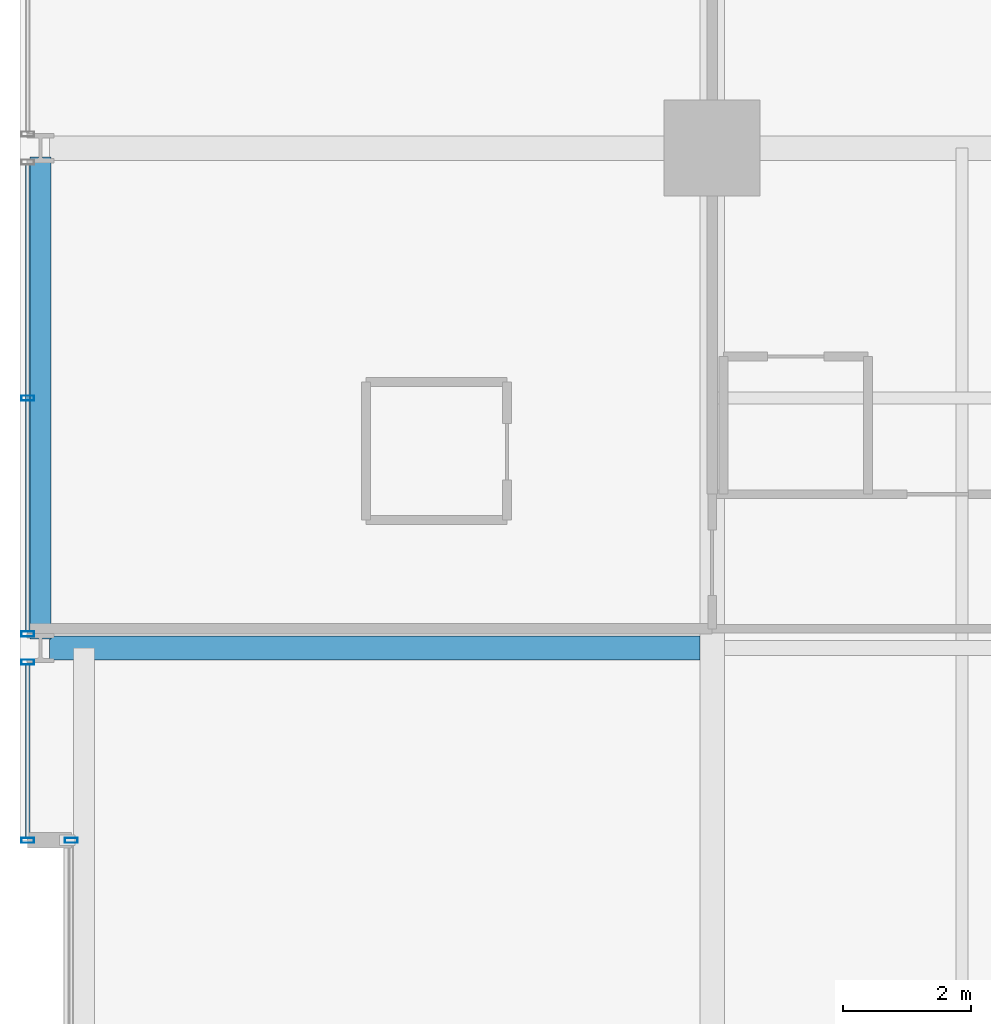
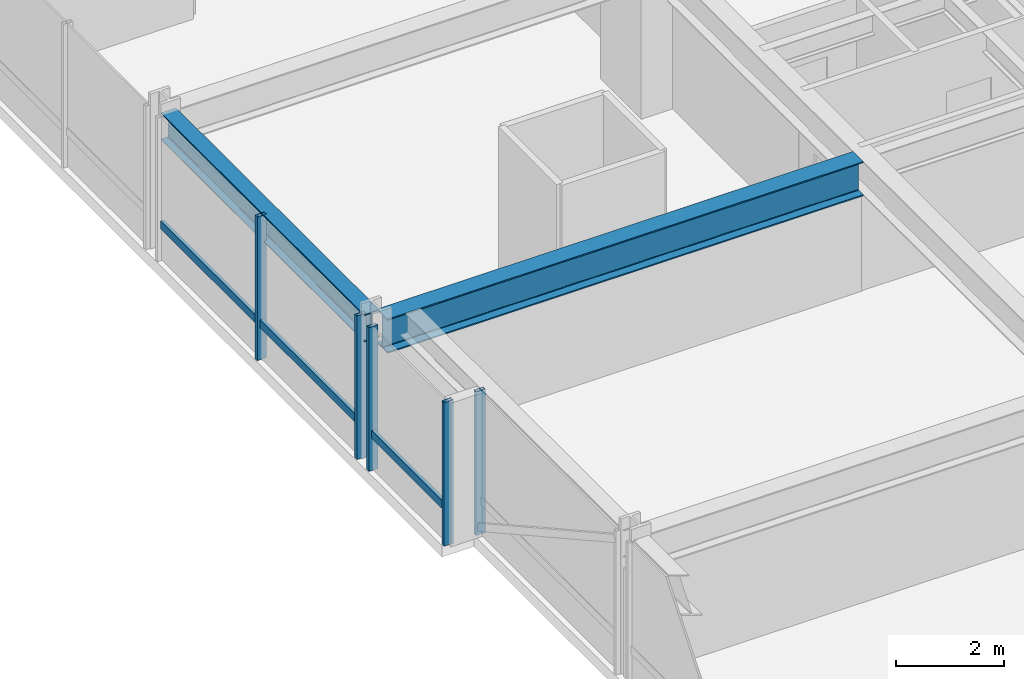
# One storey, part 16 of 35: 7 members, 2 beams, 3 elements without a shape of their own.
"""IFC4 building model written with IfcOpenShell, lengths in metres."""

from ifc_helpers import new_model, si_unit, direction, frame, origin, origin_2d, place, context, subcontext, project, spatial, hollow_rectangle, i_section, extrude, material, layer, layer_set, material_profile, profile_set, type_object, element, aggregate, save


model = new_model("IFC4")

# Units and contexts
model_context = context("Model", 3, precision=1e-05, world=origin(), true_north=direction((0.0, 1.0)))
body_context = subcontext(model_context, "Body", "Model", "MODEL_VIEW")
ifc_project = project(units=[si_unit("LENGTHUNIT", "METRE"), si_unit("AREAUNIT", "SQUARE_METRE"), si_unit("VOLUMEUNIT", "CUBIC_METRE"), si_unit("PLANEANGLEUNIT", "RADIAN"), si_unit("MASSUNIT", "GRAM", prefix="KILO")], contexts=[model_context])

# Site, building, storey
site_placement = place(None, origin())
site = spatial("IfcSite", under=ifc_project, at=site_placement, CompositionType="ELEMENT")
building_placement = place(site_placement, origin())
building = spatial("IfcBuilding", under=site, at=building_placement, Name="Drelvath Grand Hotel", CompositionType="ELEMENT")
storey_placement = place(building_placement, frame((0.0, 0.0, 95.300048828125)))
storey = spatial("IfcBuildingStorey", under=building, at=storey_placement, Name="L23", CompositionType="ELEMENT", Elevation=95.300048828125)

# Curtain wall, member
ifc_material_1 = material(Name="Champagne Bronze Anodised Aluminium Frame", Category="aluminium")
ifc_layer = layer(ifc_material_1, 0.199951171875)
ifc_layer_set = layer_set([ifc_layer], Name="Champagne Bronze Anodised Aluminium Frame")
curtain_wall_type = type_object("IfcCurtainWallType", Name="Stick Curtain Wall CW-03 Champagne Bronze Mid-Rise", PredefinedType="NOTDEFINED", material=ifc_layer_set)
curtain_wall_1_placement = place(storey_placement, origin())
curtain_wall_1 = element("IfcCurtainWall", 1, at=curtain_wall_1_placement, inside=storey, type_object=curtain_wall_type, Name="L23 CW-03 Curtain Wall CW03-L23-WN1", PredefinedType="NOTDEFINED")
ifc_material_profile_1 = material_profile(ifc_material_1, hollow_rectangle(XDim=0.074951171875, YDim=0.179931640625, WallThickness=0.0048828125, at=origin_2d()), Name="HSS180X75X5")
ifc_profile_set_1 = profile_set([ifc_material_profile_1], Name="Champagne Bronze Anodised Aluminium Frame")
member_type_1 = type_object("IfcMemberType", Name="Curtain Wall Horizontal Transom CW-03 HSS180X75X5", PredefinedType="USERDEFINED", material=ifc_profile_set_1)
member_1_placement = place(storey_placement, frame((-26.8798828125, 32.43994140625, 0.81005859375), z_axis=(0.0, 1.0, 0.0), x_axis=(-1.0, 0.0, 0.0)))
member_1 = element("IfcMember", 2, at=member_1_placement, type_object=member_type_1, Name="CW03-L23-WN1 Sill Transom", ObjectType="TRANSOM", PredefinedType="USERDEFINED", context=body_context, shape_type="SweptSolid", body=[
    extrude(hollow_rectangle(XDim=0.074951171875, YDim=0.179931640625, WallThickness=0.0048828125, at=origin_2d()), origin(), (0.0, 0.0, 1.0), 2.700439453125),
])

curtain_wall_2_placement = place(storey_placement, origin())
curtain_wall_2 = element("IfcCurtainWall", 3, at=curtain_wall_2_placement, inside=storey, type_object=curtain_wall_type, Name="L23 CW-03 Curtain Wall CW03-L23-WN2", PredefinedType="NOTDEFINED")
member_2_placement = place(storey_placement, frame((-26.8798828125, 35.65966796875, 0.81005859375), z_axis=(0.0, 1.0, 0.0), x_axis=(-1.0, 0.0, 0.0)))
member_2 = element("IfcMember", 4, at=member_2_placement, type_object=member_type_1, Name="CW03-L23-WN2 Sill Transom", ObjectType="TRANSOM", PredefinedType="USERDEFINED", context=body_context, shape_type="SweptSolid", body=[
    extrude(hollow_rectangle(XDim=0.074951171875, YDim=0.179931640625, WallThickness=0.0048828125, at=origin_2d()), origin(), (0.0, 0.0, 1.0), 7.28076171875),
])

curtain_wall_3_placement = place(storey_placement, origin())
curtain_wall_3 = element("IfcCurtainWall", 5, at=curtain_wall_3_placement, inside=storey, type_object=curtain_wall_type, Name="L23 CW-03 Curtain Wall CW03-L23-WM2", PredefinedType="NOTDEFINED")
ifc_material_profile_2 = material_profile(ifc_material_1, hollow_rectangle(XDim=0.080078125, YDim=0.199951171875, WallThickness=0.0048828125, at=origin_2d()), Name="HSS200X80X5")
ifc_profile_set_2 = profile_set([ifc_material_profile_2], Name="Champagne Bronze Anodised Aluminium Frame")
member_type_2 = type_object("IfcMemberType", Name="Curtain Wall Vertical Mullion CW-03 HSS200X80X5", PredefinedType="MULLION", material=ifc_profile_set_2)
member_3_placement = place(storey_placement, frame((-26.199951171875, 32.39990234375, 0.0), z_axis=(0.0, 0.0, 1.0), x_axis=(0.0, 1.0, 0.0)))
member_3 = element("IfcMember", 6, at=member_3_placement, type_object=member_type_2, Name="CW03-L23-WM2 Mullion 2", PredefinedType="MULLION", context=body_context, shape_type="SweptSolid", body=[
    extrude(hollow_rectangle(XDim=0.080078125, YDim=0.199951171875, WallThickness=0.0048828125, at=origin_2d()), origin(), (0.0, 0.0, 1.0), 3.239990234375),
])
aggregate(curtain_wall_3, [member_3])

# Member
member_4_placement = place(storey_placement, frame((-26.8798828125, 32.39990234375, 0.0), z_axis=(0.0, 0.0, 1.0), x_axis=(0.0, 1.0, 0.0)))
member_4 = element("IfcMember", 7, at=member_4_placement, type_object=member_type_2, Name="CW03-L23-WN1 Mullion 1", PredefinedType="MULLION", context=body_context, shape_type="SweptSolid", body=[
    extrude(hollow_rectangle(XDim=0.080078125, YDim=0.199951171875, WallThickness=0.0048828125, at=origin_2d()), origin(), (0.0, 0.0, 1.0), 3.239990234375),
])

member_5_placement = place(storey_placement, frame((-26.8798828125, 35.180419921875, 0.0), z_axis=(0.0, 0.0, 1.0), x_axis=(0.0, 1.0, 0.0)))
member_5 = element("IfcMember", 8, at=member_5_placement, type_object=member_type_2, Name="CW03-L23-WN1 Mullion 2", PredefinedType="MULLION", context=body_context, shape_type="SweptSolid", body=[
    extrude(hollow_rectangle(XDim=0.080078125, YDim=0.199951171875, WallThickness=0.0048828125, at=origin_2d()), origin(), (0.0, 0.0, 1.0), 3.239990234375),
])

aggregate(curtain_wall_1, [member_4, member_5, member_1])

member_6_placement = place(storey_placement, frame((-26.8798828125, 35.61962890625, 0.0), z_axis=(0.0, 0.0, 1.0), x_axis=(0.0, 1.0, 0.0)))
member_6 = element("IfcMember", 9, at=member_6_placement, type_object=member_type_2, Name="CW03-L23-WN2 Mullion 1", PredefinedType="MULLION", context=body_context, shape_type="SweptSolid", body=[
    extrude(hollow_rectangle(XDim=0.080078125, YDim=0.199951171875, WallThickness=0.0048828125, at=origin_2d()), origin(), (0.0, 0.0, 1.0), 3.239990234375),
])

member_7_placement = place(storey_placement, frame((-26.8798828125, 39.300048828125, 0.0), z_axis=(0.0, 0.0, 1.0), x_axis=(0.0, 1.0, 0.0)))
member_7 = element("IfcMember", 10, at=member_7_placement, type_object=member_type_2, Name="CW03-L23-WN2 Mullion 2", PredefinedType="MULLION", context=body_context, shape_type="SweptSolid", body=[
    extrude(hollow_rectangle(XDim=0.080078125, YDim=0.199951171875, WallThickness=0.0048828125, at=origin_2d()), origin(), (0.0, 0.0, 1.0), 3.239990234375),
])

aggregate(curtain_wall_2, [member_6, member_7, member_2])

# Beams
ifc_material_2 = material(Name="Steel ASTM A992 Gr 50", Category="steel")
ifc_material_profile_3 = material_profile(ifc_material_2, i_section(OverallWidth=0.323974609375, OverallDepth=0.611083984375, WebThickness=0.0126953125, FlangeThickness=0.01904296875, FilletRadius=0.02197265625, at=origin_2d()), Name="W24X104")
ifc_profile_set_3 = profile_set([ifc_material_profile_3], Name="Steel ASTM A992 Gr 50")
beam_type_1 = type_object("IfcBeamType", Name="Perimeter Spandrel Beam W24X104", PredefinedType="SPANDREL", material=ifc_profile_set_3)
beam_1_placement = place(storey_placement, frame((-26.679931640625, 35.5400390625, 2.9345703125), z_axis=(0.0, 1.0, 0.0), x_axis=(-1.0, 0.0, 0.0)))
element("IfcBeam", 11, at=beam_1_placement, inside=storey, type_object=beam_type_1, Name="L23 Spandrel West N", PredefinedType="SPANDREL", context=body_context, shape_type="SweptSolid", body=[
    extrude(i_section(OverallWidth=0.323974609375, OverallDepth=0.611083984375, WebThickness=0.0126953125, FlangeThickness=0.01904296875, FilletRadius=0.02197265625, at=origin_2d()), origin(), (0.0, 0.0, 1.0), 7.52001953125),
])
ifc_material_profile_4 = material_profile(ifc_material_2, i_section(OverallWidth=0.380615234375, OverallDepth=0.773193359375, WebThickness=0.0166015625, FlangeThickness=0.027099609375, FilletRadius=0.02490234375, at=origin_2d()), Name="W30X173")
ifc_profile_set_4 = profile_set([ifc_material_profile_4], Name="Steel ASTM A992 Gr 50")
beam_type_2 = type_object("IfcBeamType", Name="Primary Floor Girder W30X173", PredefinedType="BEAM", material=ifc_profile_set_4)
beam_2_placement = place(storey_placement, frame((-26.5400390625, 35.39990234375, 2.853271484375), z_axis=(1.0, 0.0, 0.0), x_axis=(0.0, 1.0, 0.0)))
element("IfcBeam", 12, at=beam_2_placement, inside=storey, type_object=beam_type_2, Name="L23 West Wing Girder F", PredefinedType="BEAM", context=body_context, shape_type="SweptSolid", body=[
    extrude(i_section(OverallWidth=0.380615234375, OverallDepth=0.773193359375, WebThickness=0.0166015625, FlangeThickness=0.027099609375, FilletRadius=0.02490234375, at=origin_2d()), origin(), (0.0, 0.0, 1.0), 10.149658203125),
])

save(model, "model.ifc")
